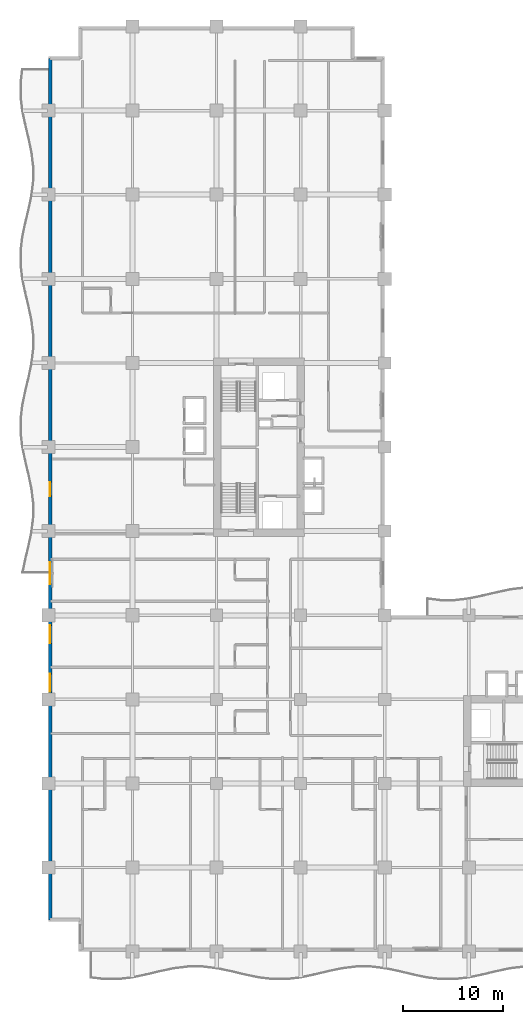
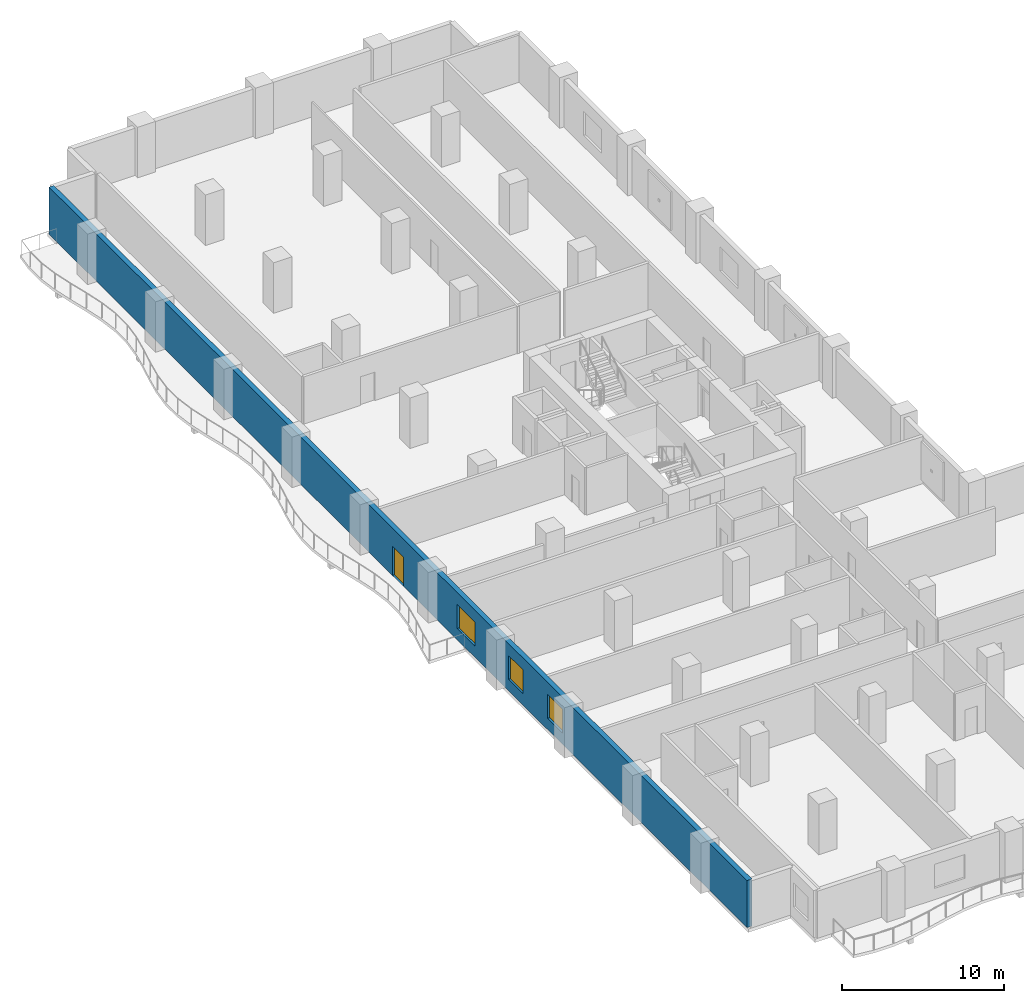
# One storey, part 7 of 18: 3 windows, 1 door, 1 wall, 4 openings.
"""IFC4 building model written with IfcOpenShell, lengths in metres."""

from ifc_helpers import new_model, si_unit, direction, frame, frame_2d, origin, place, context, subcontext, project, spatial, rectangle, extrude, material, layer, layer_set, type_object, element, fill, save


model = new_model("IFC4")

# Units and contexts
model_context = context("Model", 3, precision=1e-05, world=origin(), true_north=direction((0.0, 1.0)))
body_context = subcontext(model_context, "Body", "Model", "MODEL_VIEW")
ifc_project = project(units=[si_unit("LENGTHUNIT", "METRE"), si_unit("AREAUNIT", "SQUARE_METRE"), si_unit("VOLUMEUNIT", "CUBIC_METRE"), si_unit("PLANEANGLEUNIT", "RADIAN"), si_unit("MASSUNIT", "GRAM", prefix="KILO")], contexts=[model_context])

# Site, building, storey
site_placement = place(None, origin())
site = spatial("IfcSite", under=ifc_project, at=site_placement, CompositionType="ELEMENT")
building_placement = place(site_placement, origin())
building = spatial("IfcBuilding", under=site, at=building_placement, Name="Koriwani Terraces Tower", CompositionType="ELEMENT")
storey_placement = place(building_placement, frame((0.0, 0.0, 115.199951171875)))
storey = spatial("IfcBuildingStorey", under=building, at=storey_placement, Name="L27", CompositionType="ELEMENT", Elevation=115.199951171875)

# Wall, openings, door, windows
ifc_material_1 = material(Name="Concrete C50/60", Category="concrete")
ifc_layer = layer(ifc_material_1, 0.35009765625, Name="Concrete C50/60")
ifc_layer_set = layer_set([ifc_layer], Name="Concrete C50/60")
wall_type = type_object("IfcWallType", Name="WALL_EXT_BRUTALIST_350", PredefinedType="STANDARD", material=ifc_layer_set)
wall_placement = place(storey_placement, frame((0.175048828125, 3.175048828125, 0.0), z_axis=(0.0, 0.0, 1.0), x_axis=(0.0, 1.0, 0.0)))
wall = element("IfcWall", 1, at=wall_placement, inside=storey, type_object=wall_type, Name="L27 Fair-Faced Brutalist Exterior Wall (W)", PredefinedType="STANDARD", context=body_context, shape_type="SweptSolid", body=[
    extrude(rectangle(XDim=86.050048828125, YDim=0.35009765625, at=frame_2d((43.02490234375, 0.0))), origin(), (0.0, 0.0, 1.0), 3.550048828125),
])
opening_1_placement = place(wall_placement, frame((42.324951171875, 0.0, 0.0)))
opening_1 = element("IfcOpeningElement", 2, at=opening_1_placement, cuts=wall, Name="Opening D-09", PredefinedType="OPENING", context=body_context, shape_type="SweptSolid", body=[
    extrude(rectangle(XDim=1.39990234375, YDim=2.199951171875, at=frame_2d((0.699951171875, 1.10009765625))), frame((0.0, 0.18505859375, 0.0), z_axis=(0.0, -1.0, 0.0), x_axis=(1.0, 0.0, 0.0)), (0.0, 0.0, 1.0), 0.3701171875),
])
opening_2_placement = place(wall_placement, frame((33.52490234375, 0.0, 0.85009765625)))
opening_2 = element("IfcOpeningElement", 3, at=opening_2_placement, cuts=wall, Name="Opening W-01", PredefinedType="OPENING", context=body_context, shape_type="SweptSolid", body=[
    extrude(rectangle(XDim=2.199951171875, YDim=1.800048828125, at=frame_2d((1.10009765625, 0.89990234375))), frame((0.0, 0.18505859375, 0.0), z_axis=(0.0, -1.0, 0.0), x_axis=(1.0, 0.0, 0.0)), (0.0, 0.0, 1.0), 0.3701171875),
])
opening_3_placement = place(wall_placement, frame((22.77490234375, 0.0, 0.85009765625)))
opening_3 = element("IfcOpeningElement", 4, at=opening_3_placement, cuts=wall, Name="Opening W-04", PredefinedType="OPENING", context=body_context, shape_type="SweptSolid", body=[
    extrude(rectangle(XDim=1.800048828125, YDim=1.800048828125, at=frame_2d((0.89990234375, 0.89990234375))), frame((0.0, 0.18505859375, 0.0), z_axis=(0.0, -1.0, 0.0), x_axis=(1.0, 0.0, 0.0)), (0.0, 0.0, 1.0), 0.3701171875),
])
opening_4_placement = place(wall_placement, frame((27.625, 0.0, 0.85009765625)))
opening_4 = element("IfcOpeningElement", 5, at=opening_4_placement, cuts=wall, Name="Opening W-04", PredefinedType="OPENING", context=body_context, shape_type="SweptSolid", body=[
    extrude(rectangle(XDim=1.800048828125, YDim=1.800048828125, at=frame_2d((0.89990234375, 0.89990234375))), frame((0.0, 0.18505859375, 0.0), z_axis=(0.0, -1.0, 0.0), x_axis=(1.0, 0.0, 0.0)), (0.0, 0.0, 1.0), 0.3701171875),
])
ifc_material_2 = material(Name="Anodised Bronze Aluminium", Category="aluminium")
door_type = type_object("IfcDoorType", Name="DOOR_BALCONY_GLAZED_1400X2200", OperationType="NOTDEFINED", PredefinedType="DOOR", material=ifc_material_2)
door_placement = place(opening_1_placement, origin())
door = element("IfcDoor", 6, at=door_placement, inside=storey, type_object=door_type, Name="L27 West Balcony Glazed Door", OperationType="SINGLE_SWING_LEFT", OverallHeight=2.199951171875, OverallWidth=1.39990234375, PredefinedType="DOOR", context=body_context, shape_type="SweptSolid", body=[
    extrude(rectangle(XDim=1.39990234375, YDim=2.199951171875, at=frame_2d((0.699951171875, 1.10009765625))), frame((0.0, 0.02490234375, 0.0), z_axis=(0.0, -1.0, 0.0), x_axis=(1.0, 0.0, 0.0)), (0.0, 0.0, 1.0), 0.050048828125),
])
fill(opening_1, door)
ifc_material_3 = material(Name="Tempered Laminated Low-E Glass", Category="glass")
window_type_1 = type_object("IfcWindowType", Name="WIN_HOTEL_STD_2200X1800", PartitioningType="DOUBLE_PANEL_VERTICAL", PredefinedType="WINDOW", material=ifc_material_3)
window_1_placement = place(opening_2_placement, origin())
window_1 = element("IfcWindow", 7, at=window_1_placement, inside=storey, type_object=window_type_1, Name="L27 Exterior Window (W-12)", OverallHeight=1.800048828125, OverallWidth=2.199951171875, PartitioningType="SINGLE_PANEL", PredefinedType="WINDOW", context=body_context, shape_type="SweptSolid", body=[
    extrude(rectangle(XDim=2.199951171875, YDim=1.800048828125, at=frame_2d((1.10009765625, 0.89990234375))), frame((0.0, 0.030029296875, 0.0), z_axis=(0.0, -1.0, 0.0), x_axis=(1.0, 0.0, 0.0)), (0.0, 0.0, 1.0), 0.06005859375),
])
fill(opening_2, window_1)
window_type_2 = type_object("IfcWindowType", Name="WIN_RES_BED_1800X1800", PartitioningType="DOUBLE_PANEL_VERTICAL", PredefinedType="WINDOW", material=ifc_material_3)
window_2_placement = place(opening_3_placement, origin())
window_2 = element("IfcWindow", 8, at=window_2_placement, inside=storey, type_object=window_type_2, Name="L27 Exterior Window (W-R39)", OverallHeight=1.800048828125, OverallWidth=1.800048828125, PartitioningType="SINGLE_PANEL", PredefinedType="WINDOW", context=body_context, shape_type="SweptSolid", body=[
    extrude(rectangle(XDim=1.800048828125, YDim=1.800048828125, at=frame_2d((0.89990234375, 0.89990234375))), frame((0.0, 0.030029296875, 0.0), z_axis=(0.0, -1.0, 0.0), x_axis=(1.0, 0.0, 0.0)), (0.0, 0.0, 1.0), 0.06005859375),
])
fill(opening_3, window_2)
window_3_placement = place(opening_4_placement, origin())
window_3 = element("IfcWindow", 9, at=window_3_placement, inside=storey, type_object=window_type_2, Name="L27 Exterior Window (W-R41)", OverallHeight=1.800048828125, OverallWidth=1.800048828125, PartitioningType="SINGLE_PANEL", PredefinedType="WINDOW", context=body_context, shape_type="SweptSolid", body=[
    extrude(rectangle(XDim=1.800048828125, YDim=1.800048828125, at=frame_2d((0.89990234375, 0.89990234375))), frame((0.0, 0.030029296875, 0.0), z_axis=(0.0, -1.0, 0.0), x_axis=(1.0, 0.0, 0.0)), (0.0, 0.0, 1.0), 0.06005859375),
])
fill(opening_4, window_3)

save(model, "model.ifc")
